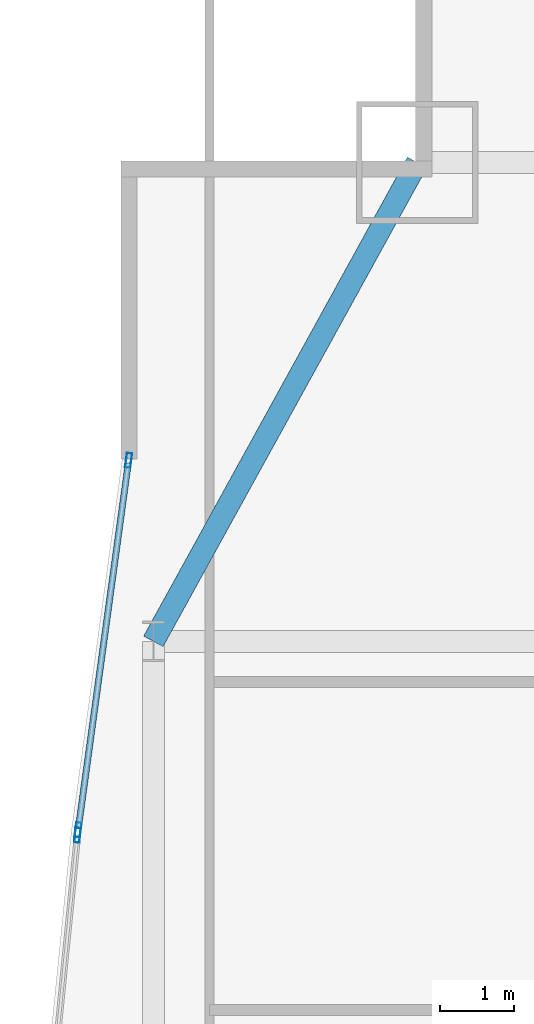
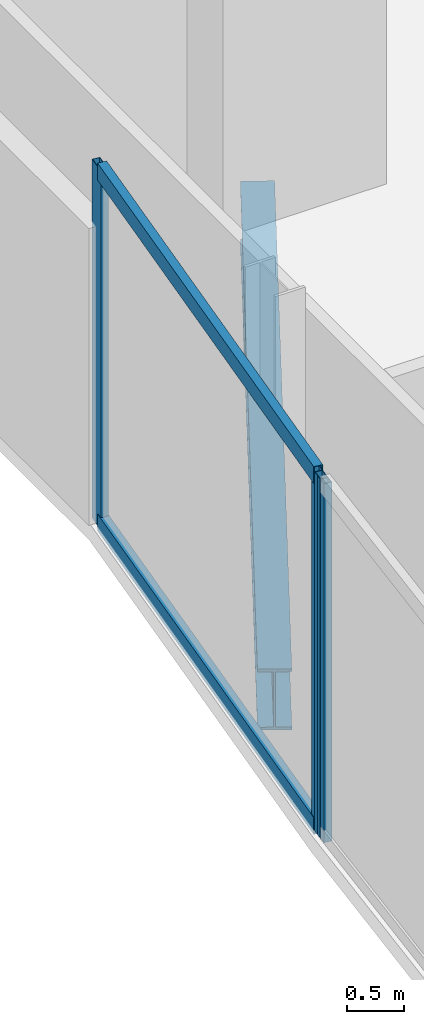
# One storey, part 16 of 35: 5 members, 1 beam, 2 elements without a shape of their own.
"""IFC4 building model written with IfcOpenShell, lengths in metres."""

from ifc_helpers import new_model, si_unit, direction, frame, origin, origin_2d, place, context, subcontext, project, spatial, hollow_rectangle, i_section, extrude, material, material_profile, profile_set, type_object, element, aggregate, save


model = new_model("IFC4")

# Units and contexts
model_context = context("Model", 3, precision=1e-05, world=origin(), true_north=direction((0.0, 1.0)))
body_context = subcontext(model_context, "Body", "Model", "MODEL_VIEW")
ifc_project = project(units=[si_unit("LENGTHUNIT", "METRE"), si_unit("AREAUNIT", "SQUARE_METRE"), si_unit("VOLUMEUNIT", "CUBIC_METRE"), si_unit("PLANEANGLEUNIT", "RADIAN"), si_unit("MASSUNIT", "GRAM", prefix="KILO")], contexts=[model_context])

# Site, building, storey
site_placement = place(None, origin())
site = spatial("IfcSite", under=ifc_project, at=site_placement, CompositionType="ELEMENT")
building_placement = place(site_placement, origin())
building = spatial("IfcBuilding", under=site, at=building_placement, Name="Khoronbel Lancet Exchange", CompositionType="ELEMENT")
storey_placement = place(building_placement, frame((0.0, 0.0, 37.800048828125)))
storey = spatial("IfcBuildingStorey", under=building, at=storey_placement, Name="L08", CompositionType="ELEMENT", Elevation=37.800048828125)

# Beam
ifc_material_1 = material(Name="Steel S355", Category="steel")
ifc_material_profile_1 = material_profile(ifc_material_1, i_section(OverallWidth=0.300048828125, OverallDepth=0.64990234375, WebThickness=0.01611328125, FlangeThickness=0.031005859375, at=origin_2d()), Name="HEB 650")
ifc_profile_set_1 = profile_set([ifc_material_profile_1], Name="Steel S355")
beam_type = type_object("IfcBeamType", Name="BM-BSP1", PredefinedType="SPANDREL", material=ifc_profile_set_1)
beam_placement = place(storey_placement, frame((4.85009765625, 49.699951171875, -0.505126953125), z_axis=(-0.482444051088, -0.875926787791, 0.0), x_axis=(0.875926787791, -0.482444051088, 0.0)))
element("IfcBeam", 1, at=beam_placement, inside=storey, type_object=beam_type, Name="Level L08 perimeter spandrel beam SP16", PredefinedType="SPANDREL", context=body_context, shape_type="SweptSolid", body=[
    extrude(i_section(OverallWidth=0.300048828125, OverallDepth=0.64990234375, WebThickness=0.01611328125, FlangeThickness=0.031005859375, at=origin_2d()), origin(), (0.0, 0.0, 1.0), 7.420654296875),
])

# Curtain wall, member
ifc_material_2 = material(Name="Low-E Solar Control Insulating Glass", Category="glass")
curtain_wall_type = type_object("IfcCurtainWallType", Name="CW-4", PredefinedType="NOTDEFINED", material=ifc_material_2)
curtain_wall_1_placement = place(storey_placement, origin())
curtain_wall_1 = element("IfcCurtainWall", 2, at=curtain_wall_1_placement, inside=storey, type_object=curtain_wall_type, Name="Unitised curtain wall CW-L08-E08", PredefinedType="NOTDEFINED")
ifc_material_3 = material(Name="Bronze-Anodised Aluminium 6063-T6", Category="aluminium")
ifc_material_profile_2 = material_profile(ifc_material_3, hollow_rectangle(XDim=0.074951171875, YDim=0.199951171875, WallThickness=0.0048828125, at=origin_2d()), Name="ALU MULLION 75x200")
ifc_profile_set_2 = profile_set([ifc_material_profile_2], Name="Bronze-Anodised Aluminium 6063-T6")
member_type_1 = type_object("IfcMemberType", Name="MEM-CWM2", PredefinedType="MULLION", material=ifc_profile_set_2)
member_1_placement = place(storey_placement, frame((0.24072265625, 40.56884765625, 0.0), z_axis=(0.0, 0.0, 1.0), x_axis=(-0.995027292608, 0.099602645371, 0.0)))
member_1 = element("IfcMember", 3, at=member_1_placement, type_object=member_type_1, Name="CW4 mullion 2", PredefinedType="MULLION", context=body_context, shape_type="SweptSolid", body=[
    extrude(hollow_rectangle(XDim=0.074951171875, YDim=0.199951171875, WallThickness=0.0048828125, at=origin_2d()), origin(), (0.0, 0.0, 1.0), 3.820068359375),
])
aggregate(curtain_wall_1, [member_1])

# Curtain wall, members
curtain_wall_2_placement = place(storey_placement, origin())
curtain_wall_2 = element("IfcCurtainWall", 4, at=curtain_wall_2_placement, inside=storey, type_object=curtain_wall_type, Name="Unitised curtain wall CW-L08-E09", PredefinedType="NOTDEFINED")
member_2_placement = place(storey_placement, frame((0.24951171875, 40.643310546875, 0.0), z_axis=(0.0, 0.0, 1.0), x_axis=(-0.990785557592, 0.135439945613, 0.0)))
member_2 = element("IfcMember", 5, at=member_2_placement, type_object=member_type_1, Name="CW4 mullion 1", PredefinedType="MULLION", context=body_context, shape_type="SweptSolid", body=[
    extrude(hollow_rectangle(XDim=0.074951171875, YDim=0.199951171875, WallThickness=0.0048828125, at=origin_2d()), origin(), (0.0, 0.0, 1.0), 3.820068359375),
])
member_3_placement = place(storey_placement, frame((0.934814453125, 45.65673828125, 0.0), z_axis=(0.0, 0.0, 1.0), x_axis=(-0.990785557592, 0.135439945613, 0.0)))
member_3 = element("IfcMember", 6, at=member_3_placement, type_object=member_type_1, Name="CW4 mullion 2", PredefinedType="MULLION", context=body_context, shape_type="SweptSolid", body=[
    extrude(hollow_rectangle(XDim=0.074951171875, YDim=0.199951171875, WallThickness=0.0048828125, at=origin_2d()), origin(), (0.0, 0.0, 1.0), 3.820068359375),
])
ifc_material_profile_3 = material_profile(ifc_material_3, hollow_rectangle(XDim=0.0849609375, YDim=0.179931640625, WallThickness=0.0048828125, at=origin_2d()), Name="ALU TRANSOM 85x180")
ifc_profile_set_3 = profile_set([ifc_material_profile_3], Name="Bronze-Anodised Aluminium 6063-T6")
member_type_2 = type_object("IfcMemberType", Name="MEM-CWT1", PredefinedType="USERDEFINED", material=ifc_profile_set_3)
member_4_placement = place(storey_placement, frame((0.254638671875, 40.680419921875, 0.04248046875), z_axis=(0.135460679743, 0.990782723024, 0.0), x_axis=(-0.990782723024, 0.135460679743, 0.0)))
member_4 = element("IfcMember", 7, at=member_4_placement, type_object=member_type_2, Name="CW4 transom 1.1", ObjectType="TRANSOM", PredefinedType="USERDEFINED", context=body_context, shape_type="SweptSolid", body=[
    extrude(hollow_rectangle(XDim=0.0849609375, YDim=0.179931640625, WallThickness=0.0048828125, at=origin_2d()), origin(), (0.0, 0.0, 1.0), 4.985107421875),
])
member_5_placement = place(storey_placement, frame((0.254638671875, 40.680419921875, 3.77734375), z_axis=(0.135460679743, 0.990782723024, 0.0), x_axis=(-0.990782723024, 0.135460679743, 0.0)))
member_5 = element("IfcMember", 8, at=member_5_placement, type_object=member_type_2, Name="CW4 transom 1.2", ObjectType="TRANSOM", PredefinedType="USERDEFINED", context=body_context, shape_type="SweptSolid", body=[
    extrude(hollow_rectangle(XDim=0.0849609375, YDim=0.179931640625, WallThickness=0.0048828125, at=origin_2d()), origin(), (0.0, 0.0, 1.0), 4.985107421875),
])
aggregate(curtain_wall_2, [member_2, member_3, member_4, member_5])

save(model, "model.ifc")
